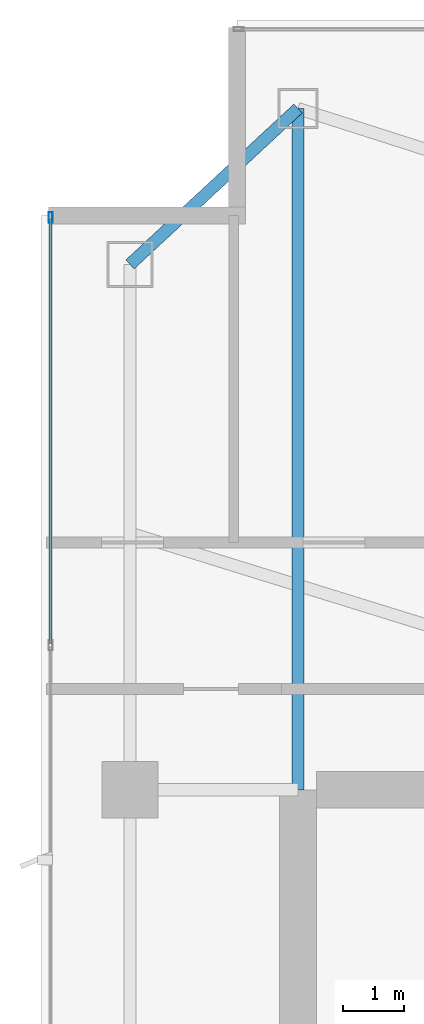
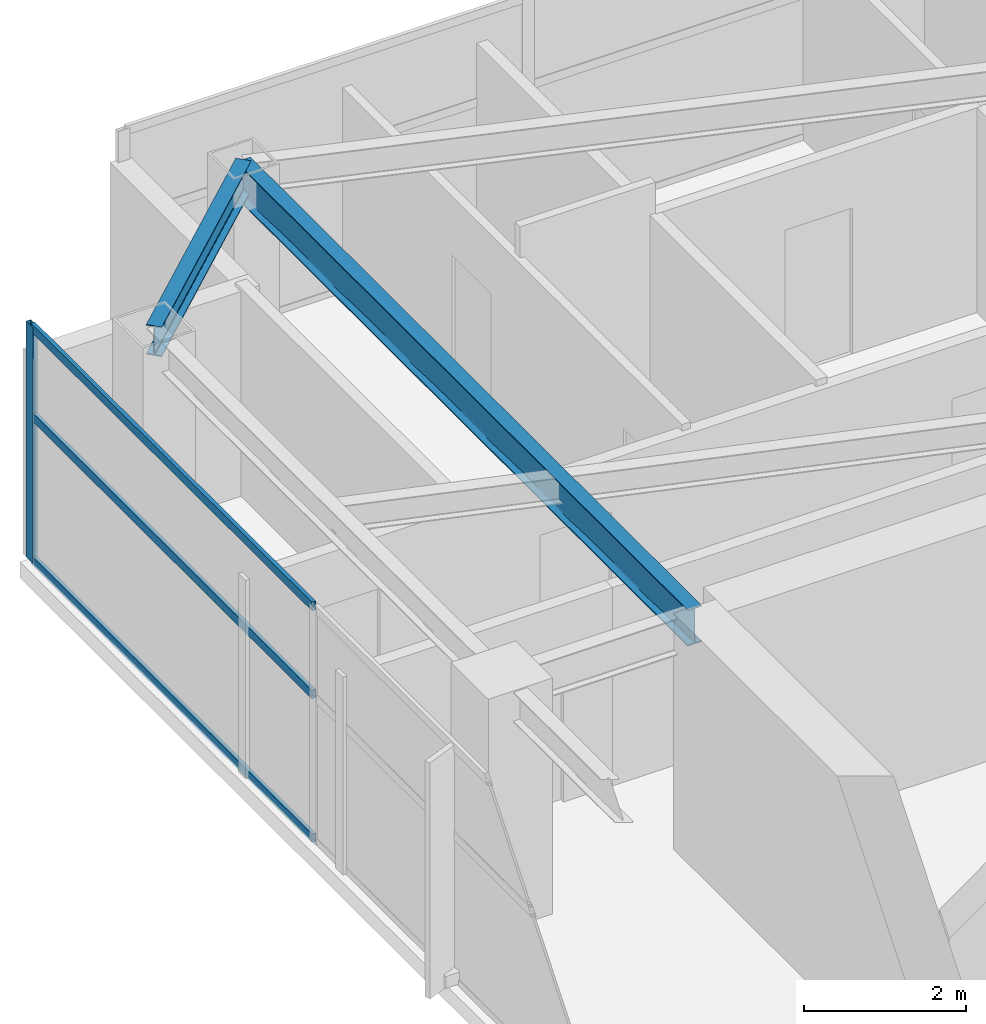
# One storey, part 17 of 27: 4 members, 2 beams, 1 element without a shape of its own.
"""IFC4 building model written with IfcOpenShell, lengths in metres."""

import ifcopenshell
import ifcopenshell.guid

model = None  # the IFC model being written
_history = None  # IfcOwnerHistory: only IFC2X3 demands one
_inside = {}  # id of a spatial element -> (the spatial element, [elements in it])
_under = {}  # id of a project, library or spatial element -> (it, [spatial elements below it])
_declared = {}  # id of a project -> (the project, [libraries it declares])
_typed = {}  # id of a type object -> (the type object, [elements of that type])
_made_of = {}  # id of a material, layer set ... -> (it, [elements and type objects made of it])


def new_model(schema):
    """Start an empty IFC model of exactly this schema.

    Asked for "IFC4X3", IfcOpenShell would pick the latest addendum, in which some entities
    have other attributes; the version numbers below select the first issue.
    IFC2X3 requires an IfcOwnerHistory on every rooted entity: one is made here for all.
    """
    global model, _history
    if schema == "IFC4X3":
        model = ifcopenshell.file(schema_version=(4, 3, 0, 0))
    else:
        model = ifcopenshell.file(schema=schema)
    _inside.clear()
    _under.clear()
    _declared.clear()
    _typed.clear()
    _made_of.clear()
    _history = None
    if model.schema == "IFC2X3":
        org = make("IfcOrganization", Name="unknown")
        user = make(
            "IfcPersonAndOrganization",
            ThePerson=make("IfcPerson", FamilyName="unknown"),
            TheOrganization=org,
        )
        app = make(
            "IfcApplication",
            ApplicationDeveloper=org,
            Version="unknown",
            ApplicationFullName="unknown",
            ApplicationIdentifier="unknown",
        )
        _history = make(
            "IfcOwnerHistory",
            OwningUser=user,
            OwningApplication=app,
            ChangeAction="ADDED",
            CreationDate=0,
        )
    return model


def make(cls, **values):
    """One entity of the class cls with the attributes given. An attribute that is None is left unset."""
    return model.create_entity(
        cls, **{name: value for name, value in values.items() if value is not None}
    )


def rooted(cls, **values):
    """An entity with a GlobalId (a new one), such as an element, a storey or a relation."""
    return make(cls, GlobalId=ifcopenshell.guid.new(), OwnerHistory=_history, **values)


def si_unit(unit_type, name, prefix=None):
    """IfcSIUnit, for example si_unit("LENGTHUNIT", "METRE", prefix="MILLI")."""
    return make("IfcSIUnit", UnitType=unit_type, Prefix=prefix, Name=name)


def assignment(units):
    """IfcUnitAssignment: the units of a project."""
    return None if units is None else make("IfcUnitAssignment", Units=units)


def point(xyz):
    """IfcCartesianPoint."""
    return None if xyz is None else make("IfcCartesianPoint", Coordinates=xyz)


def direction(xyz):
    """IfcDirection."""
    return None if xyz is None else make("IfcDirection", DirectionRatios=xyz)


def frame(location, z_axis=None, x_axis=None):
    """IfcAxis2Placement3D, a coordinate frame: its origin and axes. An axis left out is left unset."""
    return make(
        "IfcAxis2Placement3D",
        Location=point(location),
        Axis=direction(z_axis),
        RefDirection=direction(x_axis),
    )


def frame_2d(location, x_axis=None):
    """IfcAxis2Placement2D, a coordinate frame in the plane: its origin and x axis."""
    return make(
        "IfcAxis2Placement2D", Location=point(location), RefDirection=direction(x_axis)
    )


def origin():
    """The frame at (0, 0, 0) with its axes left unset."""
    return frame((0.0, 0.0, 0.0))


def origin_2d():
    """The frame at (0, 0) in the plane with its x axis left unset."""
    return frame_2d((0.0, 0.0))


def place(relative_to, where):
    """IfcLocalPlacement: puts the frame where relative to a parent placement (None: the world)."""
    return make(
        "IfcLocalPlacement", PlacementRelTo=relative_to, RelativePlacement=where
    )


def context(
    kind, dimensions, precision=None, world=None, true_north=None, identifier=None
):
    """IfcGeometricRepresentationContext, for example the 3D "Model" context."""
    return make(
        "IfcGeometricRepresentationContext",
        ContextIdentifier=identifier,
        ContextType=kind,
        CoordinateSpaceDimension=dimensions,
        Precision=precision,
        WorldCoordinateSystem=world,
        TrueNorth=true_north,
    )


def subcontext(parent, identifier, kind, view, scale=None):
    """IfcGeometricRepresentationSubContext, for example "Body" below "Model"."""
    return make(
        "IfcGeometricRepresentationSubContext",
        ContextIdentifier=identifier,
        ContextType=kind,
        ParentContext=parent,
        TargetScale=scale,
        TargetView=view,
    )


def project(units=None, contexts=None):
    """IfcProject with its units and contexts."""
    return rooted(
        "IfcProject",
        Name="project",
        RepresentationContexts=contexts,
        UnitsInContext=assignment(units),
    )


def spatial(cls, under=None, at=None, **own):
    """A site, building, storey or space (cls), placed at a placement, below another one or the project."""
    s = rooted(cls, ObjectPlacement=at, **own)
    if under is not None:
        _under.setdefault(under.id(), (under, []))[1].append(s)
    return s


def profile(cls, at=None, kind="AREA", **sizes):
    """A parametric profile (cls). Its sizes go by their IFC names, for example OverallWidth=200.0."""
    return make(cls, ProfileType=kind, Position=at, **sizes)


def hollow_rectangle(**sizes):
    """IfcRectangleHollowProfileDef."""
    return profile("IfcRectangleHollowProfileDef", **sizes)


def i_section(**sizes):
    """IfcIShapeProfileDef."""
    return profile("IfcIShapeProfileDef", **sizes)


def extrude(swept, where, along, depth):
    """IfcExtrudedAreaSolid: the profile swept, set in the frame where, extruded along a direction by depth."""
    return make(
        "IfcExtrudedAreaSolid",
        SweptArea=swept,
        Position=where,
        ExtrudedDirection=direction(along),
        Depth=depth,
    )


def shape(context_of_items, identifier, shape_type, items):
    """IfcShapeRepresentation: the items that make up one representation, for example the "Body"."""
    return make(
        "IfcShapeRepresentation",
        ContextOfItems=context_of_items,
        RepresentationIdentifier=identifier,
        RepresentationType=shape_type,
        Items=items,
    )


def material(Name=None, Category=None):
    """IfcMaterial."""
    return make("IfcMaterial", Name=Name, Category=Category)


def layer(
    of_material, thickness, ventilated=None, Name=None, Category=None, Priority=None
):
    """IfcMaterialLayer: one layer of a wall or slab, of a material (None: an air gap)."""
    return make(
        "IfcMaterialLayer",
        Material=of_material,
        LayerThickness=thickness,
        IsVentilated=ventilated,
        Name=Name,
        Category=Category,
        Priority=Priority,
    )


def layer_set(layers, Name=None):
    """IfcMaterialLayerSet."""
    return make("IfcMaterialLayerSet", MaterialLayers=layers, LayerSetName=Name)


def material_profile(
    of_material, cross_section, Name=None, Category=None, Priority=None
):
    """IfcMaterialProfile: a cross section and its material."""
    return make(
        "IfcMaterialProfile",
        Name=Name,
        Material=of_material,
        Profile=cross_section,
        Priority=Priority,
        Category=Category,
    )


def profile_set(profiles, Name=None, composite=None):
    """IfcMaterialProfileSet."""
    return make(
        "IfcMaterialProfileSet",
        Name=Name,
        MaterialProfiles=profiles,
        CompositeProfile=composite,
    )


def made_of(thing, what):
    """Note that an element or type object is made of a material, layer set ...; save() writes the relation."""
    if what is not None:
        _made_of.setdefault(what.id(), (what, []))[1].append(thing)
    return thing


def type_object(cls, material=None, **own):
    """A type object (cls), such as IfcWallType, which elements share."""
    return made_of(rooted(cls, **own), material)


def element(
    cls,
    number,
    at=None,
    inside=None,
    cuts=None,
    type_object=None,
    material=None,
    context=None,
    identifier="Body",
    shape_type=None,
    held_by="IfcProductDefinitionShape",
    body=None,
    shapes=None,
    **own,
):
    """One element of the class cls, such as IfcWall. Its Tag is "e" and its number.

    at: its placement. inside: the storey or other place that contains it. cuts: it is an
    opening in that element (IfcRelVoidsElement). A single representation is given by context,
    identifier, shape_type and body (its items); several are given by shapes. held_by: the class
    of the entity that holds the representations. save() writes the other relations.
    """
    e = rooted(cls, Tag="e%d" % number, ObjectPlacement=at, **own)
    if body is not None:
        shapes = [shape(context, identifier, shape_type, body)]
    if shapes is not None:
        e.Representation = make(held_by, Representations=shapes)
    if inside is not None:
        _inside.setdefault(inside.id(), (inside, []))[1].append(e)
    if cuts is not None:
        rooted(
            "IfcRelVoidsElement", RelatingBuildingElement=cuts, RelatedOpeningElement=e
        )
    if type_object is not None:
        _typed.setdefault(type_object.id(), (type_object, []))[1].append(e)
    return made_of(e, material)


def aggregate(whole, parts):
    """IfcRelAggregates: a whole, such as a stair, and the parts it consists of."""
    return rooted("IfcRelAggregates", RelatingObject=whole, RelatedObjects=parts)


def save(model, path):
    """Write the relations noted so far, then the file.

    IfcRelAggregates (storeys below a building ...), IfcRelContainedInSpatialStructure (elements
    in a storey), IfcRelDefinesByType, IfcRelAssociatesMaterial and IfcRelDeclares: one each for
    every whole, place, type object, material and project.
    """
    for whole, parts in _under.values():
        aggregate(whole, parts)
    for where, things in _inside.values():
        rooted(
            "IfcRelContainedInSpatialStructure",
            RelatedElements=things,
            RelatingStructure=where,
        )
    for kind, things in _typed.values():
        rooted("IfcRelDefinesByType", RelatedObjects=things, RelatingType=kind)
    for what, things in _made_of.values():
        rooted("IfcRelAssociatesMaterial", RelatedObjects=things, RelatingMaterial=what)
    for by, libraries in _declared.values():
        rooted("IfcRelDeclares", RelatingContext=by, RelatedDefinitions=libraries)
    model.write(path)


model = new_model("IFC4")

# Units and contexts
model_context = context("Model", 3, precision=1e-05, world=origin(), true_north=direction((0.0, 1.0)))
body_context = subcontext(model_context, "Body", "Model", "MODEL_VIEW")
ifc_project = project(units=[si_unit("LENGTHUNIT", "METRE"), si_unit("AREAUNIT", "SQUARE_METRE"), si_unit("VOLUMEUNIT", "CUBIC_METRE"), si_unit("PLANEANGLEUNIT", "RADIAN"), si_unit("MASSUNIT", "GRAM", prefix="KILO")], contexts=[model_context])

# Site, building, storey
site_placement = place(None, origin())
site = spatial("IfcSite", under=ifc_project, at=site_placement, CompositionType="ELEMENT")
building_placement = place(site_placement, origin())
building = spatial("IfcBuilding", under=site, at=building_placement, Name="Calvorn Quay Hotel", CompositionType="ELEMENT")
storey_placement = place(building_placement, frame((0.0, 0.0, 294.89990234375)))
storey = spatial("IfcBuildingStorey", under=building, at=storey_placement, Name="L73", CompositionType="ELEMENT", Elevation=294.89990234375)

# Beams
ifc_material_1 = material(Name="Steel Q355B", Category="steel")
ifc_material_profile_1 = material_profile(ifc_material_1, i_section(OverallWidth=0.199951171875, OverallDepth=0.550048828125, WebThickness=0.010009765625, FlangeThickness=0.01611328125, FilletRadius=0.01806640625, at=origin_2d()), Name="HN550x200x10x16")
ifc_profile_set_1 = profile_set([ifc_material_profile_1], Name="Steel Q355B")
beam_type_1 = type_object("IfcBeamType", Name="BM-GIRD-UPP", PredefinedType="BEAM", material=ifc_profile_set_1)
beam_1_placement = place(storey_placement, frame((4.199951171875, 49.550048828125, 3.26513671875), z_axis=(0.0, -1.0, 0.0), x_axis=(1.0, 0.0, 0.0)))
element("IfcBeam", 1, at=beam_1_placement, inside=storey, type_object=beam_type_1, Name="Beam BG-L73-W5", PredefinedType="BEAM", context=body_context, shape_type="SweptSolid", body=[
    extrude(i_section(OverallWidth=0.199951171875, OverallDepth=0.550048828125, WebThickness=0.010009765625, FlangeThickness=0.01611328125, FilletRadius=0.01806640625, at=origin_2d()), origin(), (0.0, 0.0, 1.0), 11.150146484375),
])
ifc_material_2 = material(Name="Steel Q355B", Category="steel")
ifc_material_profile_2 = material_profile(ifc_material_2, i_section(OverallWidth=0.199951171875, OverallDepth=0.449951171875, WebThickness=0.009033203125, FlangeThickness=0.013916015625, FilletRadius=0.01611328125, at=origin_2d()), Name="HN450x200x9x14")
ifc_profile_set_2 = profile_set([ifc_material_profile_2], Name="Steel Q355B")
beam_type_2 = type_object("IfcBeamType", Name="BM-SPANDREL-Z3", PredefinedType="SPANDREL", material=ifc_profile_set_2)
beam_2_placement = place(storey_placement, frame((1.449951171875, 47.0, 3.315185546875), z_axis=(0.733261665538, 0.679946563969, 0.0), x_axis=(-0.679946563969, 0.733261665538, 0.0)))
element("IfcBeam", 2, at=beam_2_placement, inside=storey, type_object=beam_type_2, Name="Beam BSP-L73-W5", PredefinedType="SPANDREL", context=body_context, shape_type="SweptSolid", body=[
    extrude(i_section(OverallWidth=0.199951171875, OverallDepth=0.449951171875, WebThickness=0.009033203125, FlangeThickness=0.013916015625, FilletRadius=0.01611328125, at=origin_2d()), origin(), (0.0, 0.0, 1.0), 3.75048828125),
])

# Curtain wall, members
ifc_material_3 = material(Name="Champagne Bronze Anodised Aluminium and Low-E Glass", Category="aluminium")
ifc_layer = layer(ifc_material_3, 0.219970703125)
ifc_layer_set = layer_set([ifc_layer], Name="CW-SYS-Z4")
curtain_wall_type = type_object("IfcCurtainWallType", Name="CW-SYS-Z4", PredefinedType="NOTDEFINED", material=ifc_layer_set)
curtain_wall_placement = place(storey_placement, origin())
curtain_wall = element("IfcCurtainWall", 3, at=curtain_wall_placement, inside=storey, type_object=curtain_wall_type, Name="Tower West Curtain Wall (L73)", PredefinedType="NOTDEFINED")
ifc_material_4 = material(Name="Champagne Bronze Anodised Aluminium 6063-T6", Category="aluminium")
ifc_material_profile_3 = material_profile(ifc_material_4, hollow_rectangle(XDim=0.06494140625, YDim=0.169921875, WallThickness=0.00341796875, at=origin_2d()), Name="ALU-M170x65x3.5")
ifc_profile_set_3 = profile_set([ifc_material_profile_3], Name="Champagne Bronze Anodised Aluminium 6063-T6")
member_type_1 = type_object("IfcMemberType", Name="CW-SYS-Z4-MUL", PredefinedType="MULLION", material=ifc_profile_set_3)
member_1_placement = place(storey_placement, frame((0.14990234375, 47.77001953125, 0.0), z_axis=(0.0, 0.0, 1.0), x_axis=(-1.0, 0.0, 0.0)))
member_1 = element("IfcMember", 4, at=member_1_placement, type_object=member_type_1, Name="CW-L73-W mullion 7", PredefinedType="MULLION", context=body_context, shape_type="SweptSolid", body=[
    extrude(hollow_rectangle(XDim=0.06494140625, YDim=0.169921875, WallThickness=0.00341796875, at=origin_2d()), origin(), (0.0, 0.0, 1.0), 3.56005859375),
])
ifc_material_5 = material(Name="Champagne Bronze Anodised Aluminium 6063-T6", Category="aluminium")
ifc_material_profile_4 = material_profile(ifc_material_5, hollow_rectangle(XDim=0.054931640625, YDim=0.1298828125, WallThickness=0.003173828125, at=origin_2d()), Name="ALU-T130x55x3.2")
ifc_profile_set_4 = profile_set([ifc_material_profile_4], Name="Champagne Bronze Anodised Aluminium 6063-T6")
member_type_2 = type_object("IfcMemberType", Name="CW-SYS-Z4-TRN", PredefinedType="USERDEFINED", material=ifc_profile_set_4)
member_2_placement = place(storey_placement, frame((0.14990234375, 40.796630859375, 0.030029296875), z_axis=(0.0, 1.0, 0.0), x_axis=(-1.0, 0.0, 0.0)))
member_2 = element("IfcMember", 5, at=member_2_placement, type_object=member_type_2, Name="CW-L73-W transom 6.1", ObjectType="TRANSOM", PredefinedType="USERDEFINED", context=body_context, shape_type="SweptSolid", body=[
    extrude(hollow_rectangle(XDim=0.054931640625, YDim=0.1298828125, WallThickness=0.003173828125, at=origin_2d()), origin(), (0.0, 0.0, 1.0), 6.943359375),
])
member_3_placement = place(storey_placement, frame((0.14990234375, 40.796630859375, 2.2001953125), z_axis=(0.0, 1.0, 0.0), x_axis=(-1.0, 0.0, 0.0)))
member_3 = element("IfcMember", 6, at=member_3_placement, type_object=member_type_2, Name="CW-L73-W transom 6.2", ObjectType="TRANSOM", PredefinedType="USERDEFINED", context=body_context, shape_type="SweptSolid", body=[
    extrude(hollow_rectangle(XDim=0.054931640625, YDim=0.1298828125, WallThickness=0.003173828125, at=origin_2d()), origin(), (0.0, 0.0, 1.0), 6.943359375),
])
member_4_placement = place(storey_placement, frame((0.14990234375, 40.796630859375, 3.530029296875), z_axis=(0.0, 1.0, 0.0), x_axis=(-1.0, 0.0, 0.0)))
member_4 = element("IfcMember", 7, at=member_4_placement, type_object=member_type_2, Name="CW-L73-W transom 6.3", ObjectType="TRANSOM", PredefinedType="USERDEFINED", context=body_context, shape_type="SweptSolid", body=[
    extrude(hollow_rectangle(XDim=0.054931640625, YDim=0.1298828125, WallThickness=0.003173828125, at=origin_2d()), origin(), (0.0, 0.0, 1.0), 6.943359375),
])
aggregate(curtain_wall, [member_1, member_2, member_3, member_4])

save(model, "model.ifc")
